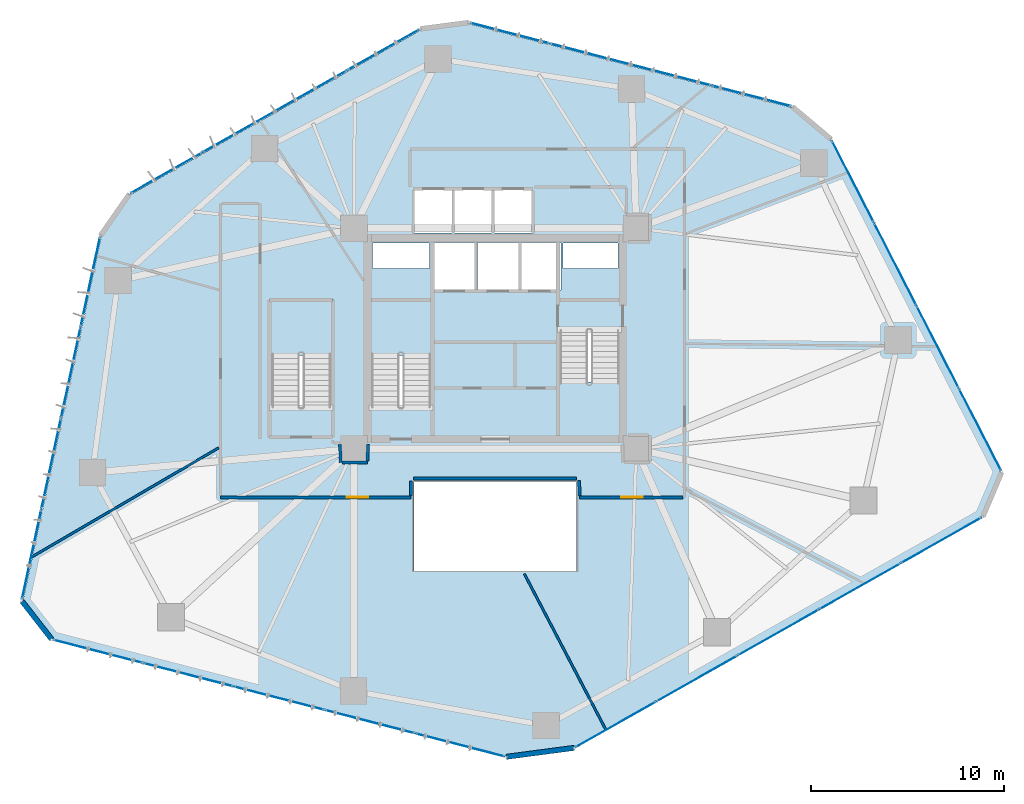
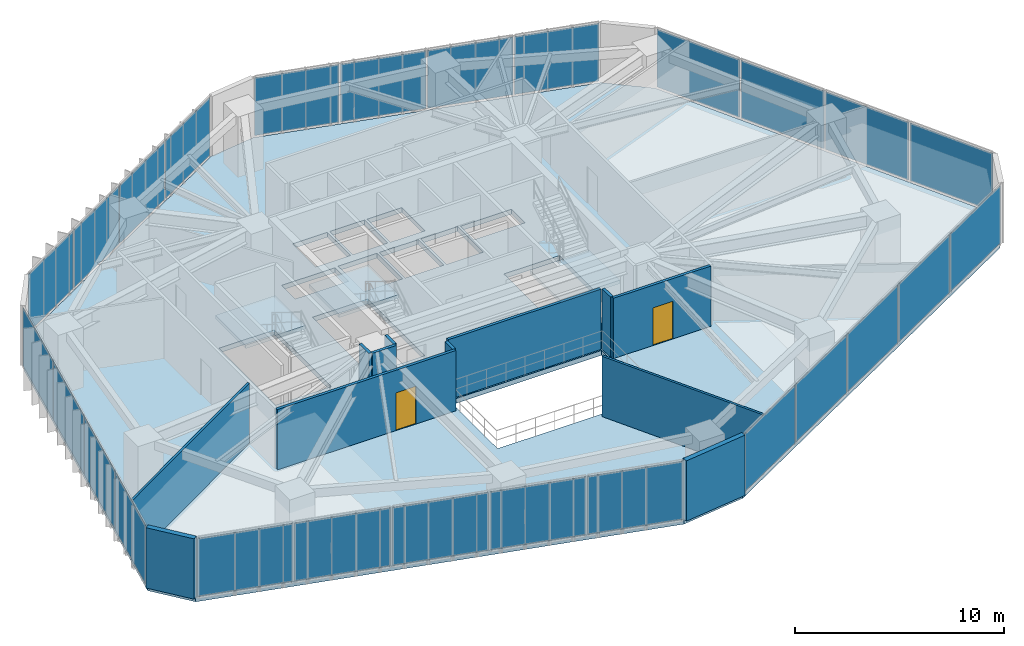
# One storey, part 17 of 23: 26 plates, 12 walls, 4 slabs, 2 doors, 2 openings, 9 elements without a shape of their own.
"""IFC4 building model written with IfcOpenShell, lengths in metres."""

import ifcopenshell
import ifcopenshell.guid

model = None  # the IFC model being written
_history = None  # IfcOwnerHistory: only IFC2X3 demands one
_inside = {}  # id of a spatial element -> (the spatial element, [elements in it])
_under = {}  # id of a project, library or spatial element -> (it, [spatial elements below it])
_declared = {}  # id of a project -> (the project, [libraries it declares])
_typed = {}  # id of a type object -> (the type object, [elements of that type])
_made_of = {}  # id of a material, layer set ... -> (it, [elements and type objects made of it])


def new_model(schema):
    """Start an empty IFC model of exactly this schema.

    Asked for "IFC4X3", IfcOpenShell would pick the latest addendum, in which some entities
    have other attributes; the version numbers below select the first issue.
    IFC2X3 requires an IfcOwnerHistory on every rooted entity: one is made here for all.
    """
    global model, _history
    if schema == "IFC4X3":
        model = ifcopenshell.file(schema_version=(4, 3, 0, 0))
    else:
        model = ifcopenshell.file(schema=schema)
    _inside.clear()
    _under.clear()
    _declared.clear()
    _typed.clear()
    _made_of.clear()
    _history = None
    if model.schema == "IFC2X3":
        org = make("IfcOrganization", Name="unknown")
        user = make(
            "IfcPersonAndOrganization",
            ThePerson=make("IfcPerson", FamilyName="unknown"),
            TheOrganization=org,
        )
        app = make(
            "IfcApplication",
            ApplicationDeveloper=org,
            Version="unknown",
            ApplicationFullName="unknown",
            ApplicationIdentifier="unknown",
        )
        _history = make(
            "IfcOwnerHistory",
            OwningUser=user,
            OwningApplication=app,
            ChangeAction="ADDED",
            CreationDate=0,
        )
    return model


def make(cls, **values):
    """One entity of the class cls with the attributes given. An attribute that is None is left unset."""
    return model.create_entity(
        cls, **{name: value for name, value in values.items() if value is not None}
    )


def rooted(cls, **values):
    """An entity with a GlobalId (a new one), such as an element, a storey or a relation."""
    return make(cls, GlobalId=ifcopenshell.guid.new(), OwnerHistory=_history, **values)


def si_unit(unit_type, name, prefix=None):
    """IfcSIUnit, for example si_unit("LENGTHUNIT", "METRE", prefix="MILLI")."""
    return make("IfcSIUnit", UnitType=unit_type, Prefix=prefix, Name=name)


def assignment(units):
    """IfcUnitAssignment: the units of a project."""
    return None if units is None else make("IfcUnitAssignment", Units=units)


def point(xyz):
    """IfcCartesianPoint."""
    return None if xyz is None else make("IfcCartesianPoint", Coordinates=xyz)


def direction(xyz):
    """IfcDirection."""
    return None if xyz is None else make("IfcDirection", DirectionRatios=xyz)


def frame(location, z_axis=None, x_axis=None):
    """IfcAxis2Placement3D, a coordinate frame: its origin and axes. An axis left out is left unset."""
    return make(
        "IfcAxis2Placement3D",
        Location=point(location),
        Axis=direction(z_axis),
        RefDirection=direction(x_axis),
    )


def frame_2d(location, x_axis=None):
    """IfcAxis2Placement2D, a coordinate frame in the plane: its origin and x axis."""
    return make(
        "IfcAxis2Placement2D", Location=point(location), RefDirection=direction(x_axis)
    )


def origin():
    """The frame at (0, 0, 0) with its axes left unset."""
    return frame((0.0, 0.0, 0.0))


def origin_2d():
    """The frame at (0, 0) in the plane with its x axis left unset."""
    return frame_2d((0.0, 0.0))


def place(relative_to, where):
    """IfcLocalPlacement: puts the frame where relative to a parent placement (None: the world)."""
    return make(
        "IfcLocalPlacement", PlacementRelTo=relative_to, RelativePlacement=where
    )


def context(
    kind, dimensions, precision=None, world=None, true_north=None, identifier=None
):
    """IfcGeometricRepresentationContext, for example the 3D "Model" context."""
    return make(
        "IfcGeometricRepresentationContext",
        ContextIdentifier=identifier,
        ContextType=kind,
        CoordinateSpaceDimension=dimensions,
        Precision=precision,
        WorldCoordinateSystem=world,
        TrueNorth=true_north,
    )


def subcontext(parent, identifier, kind, view, scale=None):
    """IfcGeometricRepresentationSubContext, for example "Body" below "Model"."""
    return make(
        "IfcGeometricRepresentationSubContext",
        ContextIdentifier=identifier,
        ContextType=kind,
        ParentContext=parent,
        TargetScale=scale,
        TargetView=view,
    )


def project(units=None, contexts=None):
    """IfcProject with its units and contexts."""
    return rooted(
        "IfcProject",
        Name="project",
        RepresentationContexts=contexts,
        UnitsInContext=assignment(units),
    )


def spatial(cls, under=None, at=None, **own):
    """A site, building, storey or space (cls), placed at a placement, below another one or the project."""
    s = rooted(cls, ObjectPlacement=at, **own)
    if under is not None:
        _under.setdefault(under.id(), (under, []))[1].append(s)
    return s


def polyline(points):
    """IfcPolyline through the points."""
    return make("IfcPolyline", Points=[point(p) for p in points])


def profile(cls, at=None, kind="AREA", **sizes):
    """A parametric profile (cls). Its sizes go by their IFC names, for example OverallWidth=200.0."""
    return make(cls, ProfileType=kind, Position=at, **sizes)


def rectangle(**sizes):
    """IfcRectangleProfileDef."""
    return profile("IfcRectangleProfileDef", **sizes)


def outline(outer, holes=None, kind="AREA"):
    """IfcArbitraryClosedProfileDef: a profile drawn as a closed curve; with holes, ...WithVoids."""
    if holes is None:
        return make("IfcArbitraryClosedProfileDef", ProfileType=kind, OuterCurve=outer)
    return make(
        "IfcArbitraryProfileDefWithVoids",
        ProfileType=kind,
        OuterCurve=outer,
        InnerCurves=holes,
    )


def extrude(swept, where, along, depth):
    """IfcExtrudedAreaSolid: the profile swept, set in the frame where, extruded along a direction by depth."""
    return make(
        "IfcExtrudedAreaSolid",
        SweptArea=swept,
        Position=where,
        ExtrudedDirection=direction(along),
        Depth=depth,
    )


def shape(context_of_items, identifier, shape_type, items):
    """IfcShapeRepresentation: the items that make up one representation, for example the "Body"."""
    return make(
        "IfcShapeRepresentation",
        ContextOfItems=context_of_items,
        RepresentationIdentifier=identifier,
        RepresentationType=shape_type,
        Items=items,
    )


def source(mapping_origin, context_of_items, identifier, shape_type, items):
    """IfcRepresentationMap: a shape defined once, which mapped items show again and again."""
    return make(
        "IfcRepresentationMap",
        MappingOrigin=mapping_origin,
        MappedRepresentation=shape(context_of_items, identifier, shape_type, items),
    )


def transform(
    local_origin,
    x_axis=None,
    y_axis=None,
    z_axis=None,
    scale=None,
    scale2=None,
    scale3=None,
    uniform=True,
):
    """IfcCartesianTransformationOperator3D, or its non-uniform kind. x_axis, y_axis, z_axis: its Axis1, 2, 3."""
    if uniform:
        return make(
            "IfcCartesianTransformationOperator3D",
            Axis1=direction(x_axis),
            Axis2=direction(y_axis),
            LocalOrigin=point(local_origin),
            Scale=scale,
            Axis3=direction(z_axis),
        )
    return make(
        "IfcCartesianTransformationOperator3DnonUniform",
        Axis1=direction(x_axis),
        Axis2=direction(y_axis),
        LocalOrigin=point(local_origin),
        Scale=scale,
        Axis3=direction(z_axis),
        Scale2=scale2,
        Scale3=scale3,
    )


def mapped(mapping_source, mapping_target):
    """IfcMappedItem: shows the shape of a source again, moved by a transform."""
    return make(
        "IfcMappedItem", MappingSource=mapping_source, MappingTarget=mapping_target
    )


def material(Name=None, Category=None):
    """IfcMaterial."""
    return make("IfcMaterial", Name=Name, Category=Category)


def layer(
    of_material, thickness, ventilated=None, Name=None, Category=None, Priority=None
):
    """IfcMaterialLayer: one layer of a wall or slab, of a material (None: an air gap)."""
    return make(
        "IfcMaterialLayer",
        Material=of_material,
        LayerThickness=thickness,
        IsVentilated=ventilated,
        Name=Name,
        Category=Category,
        Priority=Priority,
    )


def layer_set(layers, Name=None):
    """IfcMaterialLayerSet."""
    return make("IfcMaterialLayerSet", MaterialLayers=layers, LayerSetName=Name)


def made_of(thing, what):
    """Note that an element or type object is made of a material, layer set ...; save() writes the relation."""
    if what is not None:
        _made_of.setdefault(what.id(), (what, []))[1].append(thing)
    return thing


def type_object(cls, material=None, **own):
    """A type object (cls), such as IfcWallType, which elements share."""
    return made_of(rooted(cls, **own), material)


def type_shapes(of_type, sources):
    """Give a type object the sources (RepresentationMaps) that its elements show as mapped items."""
    of_type.RepresentationMaps = sources


def element(
    cls,
    number,
    at=None,
    inside=None,
    cuts=None,
    type_object=None,
    material=None,
    context=None,
    identifier="Body",
    shape_type=None,
    held_by="IfcProductDefinitionShape",
    body=None,
    shapes=None,
    **own,
):
    """One element of the class cls, such as IfcWall. Its Tag is "e" and its number.

    at: its placement. inside: the storey or other place that contains it. cuts: it is an
    opening in that element (IfcRelVoidsElement). A single representation is given by context,
    identifier, shape_type and body (its items); several are given by shapes. held_by: the class
    of the entity that holds the representations. save() writes the other relations.
    """
    e = rooted(cls, Tag="e%d" % number, ObjectPlacement=at, **own)
    if body is not None:
        shapes = [shape(context, identifier, shape_type, body)]
    if shapes is not None:
        e.Representation = make(held_by, Representations=shapes)
    if inside is not None:
        _inside.setdefault(inside.id(), (inside, []))[1].append(e)
    if cuts is not None:
        rooted(
            "IfcRelVoidsElement", RelatingBuildingElement=cuts, RelatedOpeningElement=e
        )
    if type_object is not None:
        _typed.setdefault(type_object.id(), (type_object, []))[1].append(e)
    return made_of(e, material)


def fill(opening, filler):
    """IfcRelFillsElement: the door or window that sits in an opening."""
    return rooted(
        "IfcRelFillsElement",
        RelatingOpeningElement=opening,
        RelatedBuildingElement=filler,
    )


def aggregate(whole, parts):
    """IfcRelAggregates: a whole, such as a stair, and the parts it consists of."""
    return rooted("IfcRelAggregates", RelatingObject=whole, RelatedObjects=parts)


def save(model, path):
    """Write the relations noted so far, then the file.

    IfcRelAggregates (storeys below a building ...), IfcRelContainedInSpatialStructure (elements
    in a storey), IfcRelDefinesByType, IfcRelAssociatesMaterial and IfcRelDeclares: one each for
    every whole, place, type object, material and project.
    """
    for whole, parts in _under.values():
        aggregate(whole, parts)
    for where, things in _inside.values():
        rooted(
            "IfcRelContainedInSpatialStructure",
            RelatedElements=things,
            RelatingStructure=where,
        )
    for kind, things in _typed.values():
        rooted("IfcRelDefinesByType", RelatedObjects=things, RelatingType=kind)
    for what, things in _made_of.values():
        rooted("IfcRelAssociatesMaterial", RelatedObjects=things, RelatingMaterial=what)
    for by, libraries in _declared.values():
        rooted("IfcRelDeclares", RelatingContext=by, RelatedDefinitions=libraries)
    model.write(path)


model = new_model("IFC4")

# Units and contexts
model_context = context("Model", 3, precision=1e-05, world=origin(), true_north=direction((0.0, 1.0)))
body_context = subcontext(model_context, "Body", "Model", "MODEL_VIEW")
ifc_project = project(units=[si_unit("LENGTHUNIT", "METRE"), si_unit("AREAUNIT", "SQUARE_METRE"), si_unit("VOLUMEUNIT", "CUBIC_METRE"), si_unit("PLANEANGLEUNIT", "RADIAN"), si_unit("MASSUNIT", "GRAM", prefix="KILO")], contexts=[model_context])

# Site, building, storey
site_placement = place(None, origin())
site = spatial("IfcSite", under=ifc_project, at=site_placement, CompositionType="ELEMENT")
building_placement = place(site_placement, origin())
building = spatial("IfcBuilding", under=site, at=building_placement, Name="Talar Marvaseh", CompositionType="ELEMENT")
storey_placement = place(building_placement, frame((0.0, 0.0, 46.800048828125)))
storey = spatial("IfcBuildingStorey", under=building, at=storey_placement, Name="L11", CompositionType="ELEMENT", Elevation=46.800048828125)

# Stair, slab
ifc_material_1 = material(Name="Concrete C40/50", Category="concrete")
stair_type = type_object("IfcStairType", Name="Reinforced Concrete Half-Turn Exit Stair Type B", PredefinedType="HALF_TURN_STAIR", material=ifc_material_1)
stair_1_placement = place(storey_placement, origin())
stair_1 = element("IfcStair", 1, at=stair_1_placement, inside=storey, type_object=stair_type, Name="L11 Tower West Core Exit Stair", PredefinedType="HALF_TURN_STAIR")
ifc_layer_1 = layer(ifc_material_1, 0.199951171875)
ifc_layer_set_1 = layer_set([ifc_layer_1], Name="Concrete C40/50")
slab_type_1 = type_object("IfcSlabType", Name="Reinforced Concrete Stair Half-Landing Slab 200", PredefinedType="LANDING", material=ifc_layer_set_1)
slab_1_placement = place(storey_placement, frame((0.0, 0.0, 1.699951171875)))
slab_1 = element("IfcSlab", 2, at=slab_1_placement, type_object=slab_type_1, Name="ST-1 landing 1", PredefinedType="LANDING", context=body_context, shape_type="SweptSolid", body=[
    extrude(outline(polyline([(22.780029296875, 30.330078125), (22.780029296875, 33.219970703125), (19.47998046875, 33.219970703125), (19.47998046875, 30.330078125), (22.780029296875, 30.330078125)])), origin(), (0.0, 0.0, 1.0), 0.199951171875),
])
aggregate(stair_1, [slab_1])

stair_2_placement = place(storey_placement, origin())
stair_2 = element("IfcStair", 3, at=stair_2_placement, inside=storey, type_object=stair_type, Name="L11 Tower East Core Exit Stair", PredefinedType="HALF_TURN_STAIR")
slab_2_placement = place(storey_placement, frame((0.0, 0.0, 1.699951171875)))
slab_2 = element("IfcSlab", 4, at=slab_2_placement, type_object=slab_type_1, Name="ST-2 landing 1", PredefinedType="LANDING", context=body_context, shape_type="SweptSolid", body=[
    extrude(outline(polyline([(29.219970703125, 28.969970703125), (29.219970703125, 26.080078125), (32.52001953125, 26.080078125), (32.52001953125, 28.969970703125), (29.219970703125, 28.969970703125)])), origin(), (0.0, 0.0, 1.0), 0.199951171875),
])
aggregate(stair_2, [slab_2])

stair_3_placement = place(storey_placement, origin())
stair_3 = element("IfcStair", 5, at=stair_3_placement, inside=storey, type_object=stair_type, Name="L11 Museum & Podium Auxiliary Exit Stair", PredefinedType="HALF_TURN_STAIR")
slab_3_placement = place(storey_placement, frame((0.0, 0.0, 1.699951171875)))
slab_3 = element("IfcSlab", 6, at=slab_3_placement, type_object=slab_type_1, Name="ST-3 landing 1", PredefinedType="LANDING", context=body_context, shape_type="SweptSolid", body=[
    extrude(outline(polyline([(17.6201171875, 30.330078125), (17.6201171875, 33.219970703125), (14.320068359375, 33.219970703125), (14.320068359375, 30.330078125), (17.6201171875, 30.330078125)])), origin(), (0.0, 0.0, 1.0), 0.199951171875),
])
aggregate(stair_3, [slab_3])

# Slab
ifc_layer_2 = layer(ifc_material_1, 0.280029296875)
ifc_layer_set_2 = layer_set([ifc_layer_2], Name="Concrete C40/50")
slab_type_2 = type_object("IfcSlabType", Name="Structural Suspended Floor Slab 280", PredefinedType="FLOOR", material=ifc_layer_set_2)
slab_4_placement = place(storey_placement, frame((0.0, 0.0, -0.280029296875)))
element("IfcSlab", 7, at=slab_4_placement, inside=storey, type_object=slab_type_2, Name="L11 Tower Floor Slab", PredefinedType="FLOOR", context=body_context, shape_type="SweptSolid", body=[
    extrude(outline(polyline([(3.11279296875, 15.697509765625), (1.5859375, 17.656982421875), (5.64208984375, 36.49169921875), (7.14208984375, 38.643798828125), (22.1435546875, 47.15478515625), (24.637939453125, 47.483154296875), (41.3310546875, 43.14501953125), (43.3369140625, 41.454345703125), (52.129638671875, 24.311279296875), (51.162109375, 22.0234375), (30.074462890625, 10.096923828125), (26.568603515625, 9.635498046875), (3.11279296875, 15.697509765625)]), holes=[polyline([(22.659912109375, 27.64990234375), (22.659912109375, 33.10009765625), (19.60009765625, 33.10009765625), (19.60009765625, 27.64990234375), (22.659912109375, 27.64990234375)]), polyline([(29.340087890625, 31.64990234375), (29.340087890625, 26.199951171875), (32.39990234375, 26.199951171875), (32.39990234375, 31.64990234375), (29.340087890625, 31.64990234375)]), polyline([(17.5, 27.64990234375), (17.5, 33.10009765625), (14.43994140625, 33.10009765625), (14.43994140625, 27.64990234375), (17.5, 27.64990234375)]), polyline([(22.800048828125, 33.719970703125), (24.93994140625, 33.719970703125), (24.93994140625, 36.179931640625), (22.800048828125, 36.179931640625), (22.800048828125, 33.719970703125)]), polyline([(25.080078125, 33.719970703125), (27.219970703125, 33.719970703125), (27.219970703125, 36.179931640625), (25.080078125, 36.179931640625), (25.080078125, 33.719970703125)]), polyline([(27.360107421875, 33.719970703125), (29.39990234375, 33.719970703125), (29.39990234375, 36.179931640625), (27.360107421875, 36.179931640625), (27.360107421875, 33.719970703125)]), polyline([(21.840087890625, 36.659912109375), (23.760009765625, 36.659912109375), (23.760009765625, 38.8798828125), (21.840087890625, 38.8798828125), (21.840087890625, 36.659912109375)]), polyline([(23.89990234375, 36.659912109375), (25.820068359375, 36.659912109375), (25.820068359375, 38.8798828125), (23.89990234375, 38.8798828125), (23.89990234375, 36.659912109375)]), polyline([(25.9599609375, 36.659912109375), (27.8798828125, 36.659912109375), (27.8798828125, 38.8798828125), (25.9599609375, 38.8798828125), (25.9599609375, 36.659912109375)]), polyline([(19.659912109375, 34.840087890625), (22.60009765625, 34.840087890625), (22.60009765625, 36.139892578125), (19.659912109375, 36.139892578125), (19.659912109375, 34.840087890625)]), polyline([(29.52001953125, 34.840087890625), (32.340087890625, 34.840087890625), (32.340087890625, 36.139892578125), (29.52001953125, 36.139892578125), (29.52001953125, 34.840087890625)]), polyline([(21.800048828125, 19.199951171875), (30.199951171875, 19.199951171875), (30.199951171875, 23.800048828125), (21.800048828125, 23.800048828125), (21.800048828125, 19.199951171875)])]), origin(), (0.0, 0.0, 1.0), 0.280029296875),
])

# Curtain wall, plates
ifc_material_2 = material(Name="Architectural Aluminium", Category="aluminium")
ifc_layer_3 = layer(ifc_material_2, 0.219970703125)
ifc_layer_set_3 = layer_set([ifc_layer_3], Name="Architectural Aluminium")
curtain_wall_type = type_object("IfcCurtainWallType", Name="Unitised Low-E Museum Curtain Wall Z1", PredefinedType="NOTDEFINED", material=ifc_layer_set_3)
curtain_wall_1_placement = place(storey_placement, origin())
curtain_wall_1 = element("IfcCurtainWall", 8, at=curtain_wall_1_placement, inside=storey, type_object=curtain_wall_type, Name="L11 Unitised Low-E Museum Curtain Wall Z1", PredefinedType="NOTDEFINED")
ifc_material_3 = material(Name="Laminated Low-E Solar Glass", Category="glass")
ifc_layer_4 = layer(ifc_material_3, 0.028076171875)
ifc_layer_set_4 = layer_set([ifc_layer_4], Name="Laminated Low-E Solar Glass")
plate_type = type_object("IfcPlateType", Name="Double-Glazed Low-E Vision Curtain Panel 28", PredefinedType="CURTAIN_PANEL", material=ifc_layer_set_4)
shared_shape_1 = source(origin(), body_context, "Body", "SweptSolid", [
    extrude(rectangle(XDim=4.696533203125, YDim=0.028076171875, at=origin_2d()), origin(), (0.0, 0.0, 1.0), 3.3701171875),
])
plate_1_placement = place(storey_placement, frame((2.038330078125, 20.04345703125, 0.074951171875), z_axis=(0.0, 0.0, 1.0), x_axis=(0.210537074287, 0.977585873645, 0.0)))
plate_1 = element("IfcPlate", 9, at=plate_1_placement, type_object=plate_type, Name="CW-Z1 panel 1.1", PredefinedType="CURTAIN_PANEL", context=body_context, shape_type="MappedRepresentation", body=[
    mapped(shared_shape_1, transform((0.0, 0.0, 0.0), x_axis=(1.0, 0.0, 0.0), y_axis=(0.0, 1.0, 0.0), z_axis=(0.0, 0.0, 1.0), scale=1.0)),
])
plate_2_placement = place(storey_placement, frame((5.072265625, 34.13037109375, 0.074951171875), z_axis=(0.0, 0.0, 1.0), x_axis=(0.210537074287, 0.977585873645, 0.0)))
plate_2 = element("IfcPlate", 10, at=plate_2_placement, type_object=plate_type, Name="CW-Z1 panel 4.1", PredefinedType="CURTAIN_PANEL", context=body_context, shape_type="MappedRepresentation", body=[
    mapped(shared_shape_1, transform((0.0, 0.0, 0.0), x_axis=(1.0, 0.0, 0.0), y_axis=(0.0, 1.0, 0.0), z_axis=(0.0, 0.0, 1.0), scale=1.0)),
])

curtain_wall_2_placement = place(storey_placement, origin())
curtain_wall_2 = element("IfcCurtainWall", 11, at=curtain_wall_2_placement, inside=storey, type_object=curtain_wall_type, Name="L11 Unitised Low-E Museum Curtain Wall Z1", PredefinedType="NOTDEFINED")
plate_3_placement = place(storey_placement, frame((44.49853515625, 39.321044921875, 0.074951171875), z_axis=(0.0, 0.0, 1.0), x_axis=(0.456379028209, -0.889785469993, 0.0)))
plate_3 = element("IfcPlate", 12, at=plate_3_placement, type_object=plate_type, Name="CW-Z1 panel 1.1", PredefinedType="CURTAIN_PANEL", context=body_context, shape_type="MappedRepresentation", body=[
    mapped(shared_shape_1, transform((0.0, 0.0, 0.0), x_axis=(1.0, 0.0, 0.0), y_axis=(0.0, 1.0, 0.0), z_axis=(0.0, 0.0, 1.0), scale=1.0)),
])
plate_4_placement = place(storey_placement, frame((51.074951171875, 26.499267578125, 0.074951171875), z_axis=(0.0, 0.0, 1.0), x_axis=(0.456379028209, -0.889785469993, 0.0)))
plate_4 = element("IfcPlate", 13, at=plate_4_placement, type_object=plate_type, Name="CW-Z1 panel 4.1", PredefinedType="CURTAIN_PANEL", context=body_context, shape_type="MappedRepresentation", body=[
    mapped(shared_shape_1, transform((0.0, 0.0, 0.0), x_axis=(1.0, 0.0, 0.0), y_axis=(0.0, 1.0, 0.0), z_axis=(0.0, 0.0, 1.0), scale=1.0)),
])

# Plate
shared_shape_2 = source(origin(), body_context, "Body", "SweptSolid", [
    extrude(rectangle(XDim=4.736572265625, YDim=0.028076171875, at=origin_2d()), origin(), (0.0, 0.0, 1.0), 3.3701171875),
])
plate_5_placement = place(storey_placement, frame((3.04833984375, 24.732666015625, 0.074951171875), z_axis=(0.0, 0.0, 1.0), x_axis=(0.210537074287, 0.977585873645, 0.0)))
plate_5 = element("IfcPlate", 14, at=plate_5_placement, type_object=plate_type, Name="CW-Z1 panel 2.1", PredefinedType="CURTAIN_PANEL", context=body_context, shape_type="MappedRepresentation", body=[
    mapped(shared_shape_2, transform((0.0, 0.0, 0.0), x_axis=(1.0, 0.0, 0.0), y_axis=(0.0, 1.0, 0.0), z_axis=(0.0, 0.0, 1.0), scale=1.0)),
])

plate_6_placement = place(storey_placement, frame((4.0625, 29.44140625, 0.074951171875), z_axis=(0.0, 0.0, 1.0), x_axis=(0.210537074287, 0.977585873645, 0.0)))
plate_6 = element("IfcPlate", 15, at=plate_6_placement, type_object=plate_type, Name="CW-Z1 panel 3.1", PredefinedType="CURTAIN_PANEL", context=body_context, shape_type="MappedRepresentation", body=[
    mapped(shared_shape_2, transform((0.0, 0.0, 0.0), x_axis=(1.0, 0.0, 0.0), y_axis=(0.0, 1.0, 0.0), z_axis=(0.0, 0.0, 1.0), scale=1.0)),
])

aggregate(curtain_wall_1, [plate_1, plate_5, plate_6, plate_2])

plate_7_placement = place(storey_placement, frame((46.6875, 35.052978515625, 0.074951171875), z_axis=(0.0, 0.0, 1.0), x_axis=(0.456379028209, -0.889785469993, 0.0)))
plate_7 = element("IfcPlate", 16, at=plate_7_placement, type_object=plate_type, Name="CW-Z1 panel 2.1", PredefinedType="CURTAIN_PANEL", context=body_context, shape_type="MappedRepresentation", body=[
    mapped(shared_shape_2, transform((0.0, 0.0, 0.0), x_axis=(1.0, 0.0, 0.0), y_axis=(0.0, 1.0, 0.0), z_axis=(0.0, 0.0, 1.0), scale=1.0)),
])

plate_8_placement = place(storey_placement, frame((48.8857421875, 30.767333984375, 0.074951171875), z_axis=(0.0, 0.0, 1.0), x_axis=(0.456379028209, -0.889785469993, 0.0)))
plate_8 = element("IfcPlate", 17, at=plate_8_placement, type_object=plate_type, Name="CW-Z1 panel 3.1", PredefinedType="CURTAIN_PANEL", context=body_context, shape_type="MappedRepresentation", body=[
    mapped(shared_shape_2, transform((0.0, 0.0, 0.0), x_axis=(1.0, 0.0, 0.0), y_axis=(0.0, 1.0, 0.0), z_axis=(0.0, 0.0, 1.0), scale=1.0)),
])

aggregate(curtain_wall_2, [plate_3, plate_7, plate_8, plate_4])

# Curtain wall, plates
curtain_wall_3_placement = place(storey_placement, origin())
curtain_wall_3 = element("IfcCurtainWall", 18, at=curtain_wall_3_placement, inside=storey, type_object=curtain_wall_type, Name="L11 Unitised Low-E Museum Curtain Wall Z1", PredefinedType="NOTDEFINED")
shared_shape_3 = source(origin(), body_context, "Body", "SweptSolid", [
    extrude(rectangle(XDim=4.19189453125, YDim=0.028076171875, at=origin_2d()), origin(), (0.0, 0.0, 1.0), 3.3701171875),
])
plate_9_placement = place(storey_placement, frame((9.005126953125, 39.769775390625, 0.074951171875), z_axis=(0.0, 0.0, 1.0), x_axis=(0.869770728361, 0.493456056896, 0.0)))
plate_9 = element("IfcPlate", 19, at=plate_9_placement, type_object=plate_type, Name="CW-Z1 panel 1.1", PredefinedType="CURTAIN_PANEL", context=body_context, shape_type="MappedRepresentation", body=[
    mapped(shared_shape_3, transform((0.0, 0.0, 0.0), x_axis=(1.0, 0.0, 0.0), y_axis=(0.0, 1.0, 0.0), z_axis=(0.0, 0.0, 1.0), scale=1.0)),
])
plate_10_placement = place(storey_placement, frame((20.221435546875, 46.13330078125, 0.074951171875), z_axis=(0.0, 0.0, 1.0), x_axis=(0.869770728361, 0.493456056896, 0.0)))
plate_10 = element("IfcPlate", 20, at=plate_10_placement, type_object=plate_type, Name="CW-Z1 panel 4.1", PredefinedType="CURTAIN_PANEL", context=body_context, shape_type="MappedRepresentation", body=[
    mapped(shared_shape_3, transform((0.0, 0.0, 0.0), x_axis=(1.0, 0.0, 0.0), y_axis=(0.0, 1.0, 0.0), z_axis=(0.0, 0.0, 1.0), scale=1.0)),
])

curtain_wall_4_placement = place(storey_placement, origin())
curtain_wall_4 = element("IfcCurtainWall", 21, at=curtain_wall_4_placement, inside=storey, type_object=curtain_wall_type, Name="L11 Unitised Low-E Museum Curtain Wall Z1", PredefinedType="NOTDEFINED")
plate_11_placement = place(storey_placement, frame((26.759033203125, 46.993896484375, 0.074951171875), z_axis=(0.0, 0.0, 1.0), x_axis=(0.967850825477, -0.251524908555, 0.0)))
plate_11 = element("IfcPlate", 22, at=plate_11_placement, type_object=plate_type, Name="CW-Z1 panel 1.1", PredefinedType="CURTAIN_PANEL", context=body_context, shape_type="MappedRepresentation", body=[
    mapped(shared_shape_3, transform((0.0, 0.0, 0.0), x_axis=(1.0, 0.0, 0.0), y_axis=(0.0, 1.0, 0.0), z_axis=(0.0, 0.0, 1.0), scale=1.0)),
])
plate_12_placement = place(storey_placement, frame((39.240234375, 43.75048828125, 0.074951171875), z_axis=(0.0, 0.0, 1.0), x_axis=(0.967850825477, -0.251524908555, 0.0)))
plate_12 = element("IfcPlate", 23, at=plate_12_placement, type_object=plate_type, Name="CW-Z1 panel 4.1", PredefinedType="CURTAIN_PANEL", context=body_context, shape_type="MappedRepresentation", body=[
    mapped(shared_shape_3, transform((0.0, 0.0, 0.0), x_axis=(1.0, 0.0, 0.0), y_axis=(0.0, 1.0, 0.0), z_axis=(0.0, 0.0, 1.0), scale=1.0)),
])

# Plate
shared_shape_4 = source(origin(), body_context, "Body", "SweptSolid", [
    extrude(rectangle(XDim=4.23193359375, YDim=0.028076171875, at=origin_2d()), origin(), (0.0, 0.0, 1.0), 3.3701171875),
])
plate_13_placement = place(storey_placement, frame((12.738037109375, 41.8876953125, 0.074951171875), z_axis=(0.0, 0.0, 1.0), x_axis=(0.869770728361, 0.493456056896, 0.0)))
plate_13 = element("IfcPlate", 24, at=plate_13_placement, type_object=plate_type, Name="CW-Z1 panel 2.1", PredefinedType="CURTAIN_PANEL", context=body_context, shape_type="MappedRepresentation", body=[
    mapped(shared_shape_4, transform((0.0, 0.0, 0.0), x_axis=(1.0, 0.0, 0.0), y_axis=(0.0, 1.0, 0.0), z_axis=(0.0, 0.0, 1.0), scale=1.0)),
])

plate_14_placement = place(storey_placement, frame((16.48828125, 44.015380859375, 0.074951171875), z_axis=(0.0, 0.0, 1.0), x_axis=(0.869770728361, 0.493456056896, 0.0)))
plate_14 = element("IfcPlate", 25, at=plate_14_placement, type_object=plate_type, Name="CW-Z1 panel 3.1", PredefinedType="CURTAIN_PANEL", context=body_context, shape_type="MappedRepresentation", body=[
    mapped(shared_shape_4, transform((0.0, 0.0, 0.0), x_axis=(1.0, 0.0, 0.0), y_axis=(0.0, 1.0, 0.0), z_axis=(0.0, 0.0, 1.0), scale=1.0)),
])

aggregate(curtain_wall_3, [plate_9, plate_13, plate_14, plate_10])

plate_15_placement = place(storey_placement, frame((30.9130859375, 45.91455078125, 0.074951171875), z_axis=(0.0, 0.0, 1.0), x_axis=(0.967850825477, -0.251524908555, 0.0)))
plate_15 = element("IfcPlate", 26, at=plate_15_placement, type_object=plate_type, Name="CW-Z1 panel 2.1", PredefinedType="CURTAIN_PANEL", context=body_context, shape_type="MappedRepresentation", body=[
    mapped(shared_shape_4, transform((0.0, 0.0, 0.0), x_axis=(1.0, 0.0, 0.0), y_axis=(0.0, 1.0, 0.0), z_axis=(0.0, 0.0, 1.0), scale=1.0)),
])

plate_16_placement = place(storey_placement, frame((35.086181640625, 44.829833984375, 0.074951171875), z_axis=(0.0, 0.0, 1.0), x_axis=(0.967850825477, -0.251524908555, 0.0)))
plate_16 = element("IfcPlate", 27, at=plate_16_placement, type_object=plate_type, Name="CW-Z1 panel 3.1", PredefinedType="CURTAIN_PANEL", context=body_context, shape_type="MappedRepresentation", body=[
    mapped(shared_shape_4, transform((0.0, 0.0, 0.0), x_axis=(1.0, 0.0, 0.0), y_axis=(0.0, 1.0, 0.0), z_axis=(0.0, 0.0, 1.0), scale=1.0)),
])

aggregate(curtain_wall_4, [plate_11, plate_15, plate_16, plate_12])

# Curtain wall, plates
curtain_wall_5_placement = place(storey_placement, origin())
curtain_wall_5 = element("IfcCurtainWall", 28, at=curtain_wall_5_placement, inside=storey, type_object=curtain_wall_type, Name="L11 Unitised Low-E Museum Curtain Wall Z1", PredefinedType="NOTDEFINED")
shared_shape_5 = source(origin(), body_context, "Body", "SweptSolid", [
    extrude(rectangle(XDim=4.725341796875, YDim=0.028076171875, at=origin_2d()), origin(), (0.0, 0.0, 1.0), 3.3701171875),
])
plate_17_placement = place(storey_placement, frame((49.0654296875, 20.768798828125, 0.074951171875), z_axis=(0.0, 0.0, 1.0), x_axis=(-0.870430810636, -0.492290771695, 0.0)))
plate_17 = element("IfcPlate", 29, at=plate_17_placement, type_object=plate_type, Name="CW-Z1 panel 1.1", PredefinedType="CURTAIN_PANEL", context=body_context, shape_type="MappedRepresentation", body=[
    mapped(shared_shape_5, transform((0.0, 0.0, 0.0), x_axis=(1.0, 0.0, 0.0), y_axis=(0.0, 1.0, 0.0), z_axis=(0.0, 0.0, 1.0), scale=1.0)),
])
plate_18_placement = place(storey_placement, frame((32.22998046875, 11.247314453125, 0.074951171875), z_axis=(0.0, 0.0, 1.0), x_axis=(-0.870430810636, -0.492290771695, 0.0)))
plate_18 = element("IfcPlate", 30, at=plate_18_placement, type_object=plate_type, Name="CW-Z1 panel 5.1", PredefinedType="CURTAIN_PANEL", context=body_context, shape_type="MappedRepresentation", body=[
    mapped(shared_shape_5, transform((0.0, 0.0, 0.0), x_axis=(1.0, 0.0, 0.0), y_axis=(0.0, 1.0, 0.0), z_axis=(0.0, 0.0, 1.0), scale=1.0)),
])

curtain_wall_6_placement = place(storey_placement, origin())
curtain_wall_6 = element("IfcCurtainWall", 31, at=curtain_wall_6_placement, inside=storey, type_object=curtain_wall_type, Name="L11 Unitised Low-E Museum Curtain Wall Z1", PredefinedType="NOTDEFINED")
plate_19_placement = place(storey_placement, frame((24.188720703125, 10.1884765625, 0.074951171875), z_axis=(0.0, 0.0, 1.0), x_axis=(-0.968186991338, 0.250227795826, 0.0)))
plate_19 = element("IfcPlate", 32, at=plate_19_placement, type_object=plate_type, Name="CW-Z1 panel 1.1", PredefinedType="CURTAIN_PANEL", context=body_context, shape_type="MappedRepresentation", body=[
    mapped(shared_shape_5, transform((0.0, 0.0, 0.0), x_axis=(1.0, 0.0, 0.0), y_axis=(0.0, 1.0, 0.0), z_axis=(0.0, 0.0, 1.0), scale=1.0)),
])
plate_20_placement = place(storey_placement, frame((5.462646484375, 15.0283203125, 0.074951171875), z_axis=(0.0, 0.0, 1.0), x_axis=(-0.968186991338, 0.250227795826, 0.0)))
plate_20 = element("IfcPlate", 33, at=plate_20_placement, type_object=plate_type, Name="CW-Z1 panel 5.1", PredefinedType="CURTAIN_PANEL", context=body_context, shape_type="MappedRepresentation", body=[
    mapped(shared_shape_5, transform((0.0, 0.0, 0.0), x_axis=(1.0, 0.0, 0.0), y_axis=(0.0, 1.0, 0.0), z_axis=(0.0, 0.0, 1.0), scale=1.0)),
])

# Plate
shared_shape_6 = source(origin(), body_context, "Body", "SweptSolid", [
    extrude(rectangle(XDim=4.765380859375, YDim=0.028076171875, at=origin_2d()), origin(), (0.0, 0.0, 1.0), 3.3701171875),
])
type_shapes(plate_type, [shared_shape_1, shared_shape_2, shared_shape_3, shared_shape_4, shared_shape_5, shared_shape_6])
plate_21_placement = place(storey_placement, frame((44.865234375, 18.393310546875, 0.074951171875), z_axis=(0.0, 0.0, 1.0), x_axis=(-0.870430810636, -0.492290771695, 0.0)))
plate_21 = element("IfcPlate", 34, at=plate_21_placement, type_object=plate_type, Name="CW-Z1 panel 2.1", PredefinedType="CURTAIN_PANEL", context=body_context, shape_type="MappedRepresentation", body=[
    mapped(shared_shape_6, transform((0.0, 0.0, 0.0), x_axis=(1.0, 0.0, 0.0), y_axis=(0.0, 1.0, 0.0), z_axis=(0.0, 0.0, 1.0), scale=1.0)),
])

plate_22_placement = place(storey_placement, frame((40.647705078125, 16.008056640625, 0.074951171875), z_axis=(0.0, 0.0, 1.0), x_axis=(-0.870430810636, -0.492290771695, 0.0)))
plate_22 = element("IfcPlate", 35, at=plate_22_placement, type_object=plate_type, Name="CW-Z1 panel 3.1", PredefinedType="CURTAIN_PANEL", context=body_context, shape_type="MappedRepresentation", body=[
    mapped(shared_shape_6, transform((0.0, 0.0, 0.0), x_axis=(1.0, 0.0, 0.0), y_axis=(0.0, 1.0, 0.0), z_axis=(0.0, 0.0, 1.0), scale=1.0)),
])

plate_23_placement = place(storey_placement, frame((36.43017578125, 13.62255859375, 0.074951171875), z_axis=(0.0, 0.0, 1.0), x_axis=(-0.870430810636, -0.492290771695, 0.0)))
plate_23 = element("IfcPlate", 36, at=plate_23_placement, type_object=plate_type, Name="CW-Z1 panel 4.1", PredefinedType="CURTAIN_PANEL", context=body_context, shape_type="MappedRepresentation", body=[
    mapped(shared_shape_6, transform((0.0, 0.0, 0.0), x_axis=(1.0, 0.0, 0.0), y_axis=(0.0, 1.0, 0.0), z_axis=(0.0, 0.0, 1.0), scale=1.0)),
])

aggregate(curtain_wall_5, [plate_17, plate_21, plate_22, plate_23, plate_18])

plate_24_placement = place(storey_placement, frame((19.516845703125, 11.39599609375, 0.074951171875), z_axis=(0.0, 0.0, 1.0), x_axis=(-0.968186991338, 0.250227795826, 0.0)))
plate_24 = element("IfcPlate", 37, at=plate_24_placement, type_object=plate_type, Name="CW-Z1 panel 2.1", PredefinedType="CURTAIN_PANEL", context=body_context, shape_type="MappedRepresentation", body=[
    mapped(shared_shape_6, transform((0.0, 0.0, 0.0), x_axis=(1.0, 0.0, 0.0), y_axis=(0.0, 1.0, 0.0), z_axis=(0.0, 0.0, 1.0), scale=1.0)),
])

plate_25_placement = place(storey_placement, frame((14.82568359375, 12.6083984375, 0.074951171875), z_axis=(0.0, 0.0, 1.0), x_axis=(-0.968186991338, 0.250227795826, 0.0)))
plate_25 = element("IfcPlate", 38, at=plate_25_placement, type_object=plate_type, Name="CW-Z1 panel 3.1", PredefinedType="CURTAIN_PANEL", context=body_context, shape_type="MappedRepresentation", body=[
    mapped(shared_shape_6, transform((0.0, 0.0, 0.0), x_axis=(1.0, 0.0, 0.0), y_axis=(0.0, 1.0, 0.0), z_axis=(0.0, 0.0, 1.0), scale=1.0)),
])

plate_26_placement = place(storey_placement, frame((10.134521484375, 13.82080078125, 0.074951171875), z_axis=(0.0, 0.0, 1.0), x_axis=(-0.968186991338, 0.250227795826, 0.0)))
plate_26 = element("IfcPlate", 39, at=plate_26_placement, type_object=plate_type, Name="CW-Z1 panel 4.1", PredefinedType="CURTAIN_PANEL", context=body_context, shape_type="MappedRepresentation", body=[
    mapped(shared_shape_6, transform((0.0, 0.0, 0.0), x_axis=(1.0, 0.0, 0.0), y_axis=(0.0, 1.0, 0.0), z_axis=(0.0, 0.0, 1.0), scale=1.0)),
])

aggregate(curtain_wall_6, [plate_19, plate_24, plate_25, plate_26, plate_20])

# Walls
ifc_material_4 = material(Name="Precast concrete C45/55", Category="concrete")
ifc_layer_5 = layer(ifc_material_4, 0.27001953125)
ifc_layer_set_5 = layer_set([ifc_layer_5], Name="Precast concrete C45/55")
wall_type_1 = type_object("IfcWallType", Name="Chamfered Hexagonal Corner Pier Wall Z1 270", PredefinedType="SOLIDWALL", material=ifc_layer_set_5)
wall_1_placement = place(storey_placement, frame((3.0654296875, 15.66064453125, 0.0), z_axis=(0.0, 0.0, 1.0), x_axis=(-0.614647988427, 0.78880152784, 0.0)))
element("IfcWall", 40, at=wall_1_placement, inside=storey, type_object=wall_type_1, Name="L11 Chamfered Corner Limestone Pier 1", PredefinedType="SOLIDWALL", context=body_context, shape_type="SweptSolid", body=[
    extrude(rectangle(XDim=2.484130859375, YDim=0.27001953125, at=frame_2d((1.2421875, 0.0))), origin(), (0.0, 0.0, 1.0), 3.52001953125),
])
wall_2_placement = place(storey_placement, frame((30.082275390625, 10.037353515625, 0.0), z_axis=(0.0, 0.0, 1.0), x_axis=(-0.991449594936, -0.130490232203, 0.0)))
element("IfcWall", 41, at=wall_2_placement, inside=storey, type_object=wall_type_1, Name="L11 Chamfered Corner Limestone Pier 6", PredefinedType="SOLIDWALL", context=body_context, shape_type="SweptSolid", body=[
    extrude(rectangle(XDim=3.5361328125, YDim=0.27001953125, at=frame_2d((1.76806640625, 0.0))), origin(), (0.0, 0.0, 1.0), 3.52001953125),
])

# Wall, opening, door
ifc_material_5 = material(Name="Gypsum Board Partition Assembly")
ifc_layer_6 = layer(ifc_material_5, 0.155029296875)
ifc_layer_set_6 = layer_set([ifc_layer_6], Name="Gypsum Board Partition Assembly")
wall_type_2 = type_object("IfcWallType", Name="Corridor Fire-Rated Acoustic Partition 155", PredefinedType="PARTITIONING", material=ifc_layer_set_6)
wall_3_placement = place(storey_placement, frame((21.639892578125, 23.0, 0.0), z_axis=(0.0, 0.0, 1.0), x_axis=(-1.0, 0.0, 0.0)))
wall_3 = element("IfcWall", 42, at=wall_3_placement, inside=storey, type_object=wall_type_2, Name="L11 Interior Partition Wall", PredefinedType="PARTITIONING", context=body_context, shape_type="SweptSolid", body=[
    extrude(rectangle(XDim=9.83984375, YDim=0.155029296875, at=frame_2d((4.919921875, 0.0))), origin(), (0.0, 0.0, 1.0), 3.52001953125),
])
opening_1_placement = place(wall_3_placement, frame((2.205078125, 0.0, 0.0)))
opening_1 = element("IfcOpeningElement", 43, at=opening_1_placement, cuts=wall_3, Name="Opening DR-RM110", PredefinedType="OPENING", context=body_context, shape_type="SweptSolid", body=[
    extrude(rectangle(XDim=1.10009765625, YDim=2.199951171875, at=frame_2d((0.550048828125, 1.10009765625))), frame((0.0, 0.08740234375, 0.0), z_axis=(0.0, -1.0, 0.0), x_axis=(1.0, 0.0, 0.0)), (0.0, 0.0, 1.0), 0.175048828125),
])
ifc_material_6 = material(Name="Acoustic Engineered Oak Timber", Category="wood")
door_type = type_object("IfcDoorType", Name="Assembly and Reading Hall Door 1100x2200", OperationType="NOTDEFINED", PredefinedType="DOOR", material=ifc_material_6)
shared_shape_7 = source(origin(), body_context, "Body", "SweptSolid", [
    extrude(rectangle(XDim=1.10009765625, YDim=2.199951171875, at=frame_2d((0.550048828125, 1.10009765625))), frame((0.0, 0.02490234375, 0.0), z_axis=(0.0, -1.0, 0.0), x_axis=(1.0, 0.0, 0.0)), (0.0, 0.0, 1.0), 0.050048828125),
])
type_shapes(door_type, [shared_shape_7])
door_1_placement = place(opening_1_placement, origin())
door_1 = element("IfcDoor", 44, at=door_1_placement, inside=storey, type_object=door_type, Name="L11 Exhibition Gallery Door", OperationType="SINGLE_SWING_RIGHT", OverallHeight=2.199951171875, OverallWidth=1.10009765625, PredefinedType="DOOR", context=body_context, shape_type="MappedRepresentation", body=[
    mapped(shared_shape_7, transform((0.0, 0.0, 0.0), x_axis=(1.0, 0.0, 0.0), y_axis=(0.0, 1.0, 0.0), z_axis=(0.0, 0.0, 1.0), scale=1.0)),
])
fill(opening_1, door_1)

wall_4_placement = place(storey_placement, frame((35.716552734375, 23.0, 0.0), z_axis=(0.0, 0.0, 1.0), x_axis=(-1.0, 0.0, 0.0)))
wall_4 = element("IfcWall", 45, at=wall_4_placement, inside=storey, type_object=wall_type_2, Name="L11 Interior Partition Wall", PredefinedType="PARTITIONING", context=body_context, shape_type="SweptSolid", body=[
    extrude(rectangle(XDim=5.3564453125, YDim=0.155029296875, at=frame_2d((2.67822265625, 0.0))), origin(), (0.0, 0.0, 1.0), 3.52001953125),
])
opening_2_placement = place(wall_4_placement, frame((2.08642578125, 0.0, 0.0)))
opening_2 = element("IfcOpeningElement", 46, at=opening_2_placement, cuts=wall_4, Name="Opening DR-RM110", PredefinedType="OPENING", context=body_context, shape_type="SweptSolid", body=[
    extrude(rectangle(XDim=1.10009765625, YDim=2.199951171875, at=frame_2d((0.550048828125, 1.10009765625))), frame((0.0, 0.08740234375, 0.0), z_axis=(0.0, -1.0, 0.0), x_axis=(1.0, 0.0, 0.0)), (0.0, 0.0, 1.0), 0.175048828125),
])
door_2_placement = place(opening_2_placement, origin())
door_2 = element("IfcDoor", 47, at=door_2_placement, inside=storey, type_object=door_type, Name="L11 Gallery Concierge Reception Door", OperationType="SINGLE_SWING_LEFT", OverallHeight=2.199951171875, OverallWidth=1.10009765625, PredefinedType="DOOR", context=body_context, shape_type="MappedRepresentation", body=[
    mapped(shared_shape_7, transform((0.0, 0.0, 0.0), x_axis=(1.0, 0.0, 0.0), y_axis=(0.0, 1.0, 0.0), z_axis=(0.0, 0.0, 1.0), scale=1.0)),
])
fill(opening_2, door_2)

# Walls
wall_5_placement = place(storey_placement, frame((30.199951171875, 23.9599609375, 0.0), z_axis=(0.0, 0.0, 1.0), x_axis=(-0.999999996213, -8.7029677e-05, 0.0)))
element("IfcWall", 48, at=wall_5_placement, inside=storey, type_object=wall_type_2, Name="L11 Interior Partition Wall", PredefinedType="PARTITIONING", context=body_context, shape_type="SweptSolid", body=[
    extrude(rectangle(XDim=8.415771484375, YDim=0.155029296875, at=frame_2d((4.2080078125, 0.0))), origin(), (0.0, 0.0, 1.0), 3.52001953125),
])
wall_6_placement = place(storey_placement, frame((21.64306640625, 23.831298828125, 0.0), z_axis=(0.0, 0.0, 1.0), x_axis=(-0.00359122725, -0.999993551523, 0.0)))
element("IfcWall", 49, at=wall_6_placement, inside=storey, type_object=wall_type_2, Name="L11 Interior Partition Wall", PredefinedType="PARTITIONING", context=body_context, shape_type="SweptSolid", body=[
    extrude(rectangle(XDim=0.747802734375, YDim=0.155029296875, at=frame_2d((0.3740234375, 0.0))), origin(), (0.0, 0.0, 1.0), 3.52001953125),
])
wall_7_placement = place(storey_placement, frame((17.986083984375, 25.716552734375, 0.0), z_axis=(0.0, 0.0, 1.0), x_axis=(0.013367088724, -0.999910656478, 0.0)))
element("IfcWall", 50, at=wall_7_placement, inside=storey, type_object=wall_type_2, Name="L11 Interior Partition Wall", PredefinedType="PARTITIONING", context=body_context, shape_type="SweptSolid", body=[
    extrude(rectangle(XDim=0.931396484375, YDim=0.155029296875, at=frame_2d((0.4658203125, 0.0))), origin(), (0.0, 0.0, 1.0), 3.52001953125),
])
wall_8_placement = place(storey_placement, frame((18.08203125, 24.78515625, 0.0), z_axis=(0.0, 0.0, 1.0), x_axis=(0.99999830547, 0.001840939443, 0.0)))
element("IfcWall", 51, at=wall_8_placement, inside=storey, type_object=wall_type_2, Name="L11 Interior Partition Wall", PredefinedType="PARTITIONING", context=body_context, shape_type="SweptSolid", body=[
    extrude(rectangle(XDim=1.326171875, YDim=0.155029296875, at=frame_2d((0.6630859375, 0.0))), origin(), (0.0, 0.0, 1.0), 3.52001953125),
])
wall_9_placement = place(storey_placement, frame((19.408935546875, 24.87109375, 0.0), z_axis=(0.0, 0.0, 1.0), x_axis=(0.007106130977, 0.999974751133, 0.0)))
element("IfcWall", 52, at=wall_9_placement, inside=storey, type_object=wall_type_2, Name="L11 Interior Partition Wall", PredefinedType="PARTITIONING", context=body_context, shape_type="SweptSolid", body=[
    extrude(rectangle(XDim=0.85888671875, YDim=0.155029296875, at=frame_2d((0.429443359375, 0.0))), origin(), (0.0, 0.0, 1.0), 3.52001953125),
])
wall_10_placement = place(storey_placement, frame((30.358154296875, 23.08349609375, 0.0), z_axis=(0.0, 0.0, 1.0), x_axis=(-0.021573276475, 0.999767269789, 0.0)))
element("IfcWall", 53, at=wall_10_placement, inside=storey, type_object=wall_type_2, Name="L11 Interior Partition Wall", PredefinedType="PARTITIONING", context=body_context, shape_type="SweptSolid", body=[
    extrude(rectangle(XDim=0.792236328125, YDim=0.155029296875, at=frame_2d((0.39599609375, 0.0))), origin(), (0.0, 0.0, 1.0), 3.52001953125),
])
ifc_layer_7 = layer(ifc_material_5, 0.1201171875)
ifc_layer_set_7 = layer_set([ifc_layer_7], Name="Gypsum Board Partition Assembly")
wall_type_3 = type_object("IfcWallType", Name="Demountable Studio Room Partition 120", PredefinedType="PARTITIONING", material=ifc_layer_set_7)
wall_11_placement = place(storey_placement, frame((27.510009765625, 19.0400390625, 0.0), z_axis=(0.0, 0.0, 1.0), x_axis=(0.463282984444, -0.886210401838, 0.0)))
element("IfcWall", 54, at=wall_11_placement, inside=storey, type_object=wall_type_3, Name="L11 Interior Partition Wall", PredefinedType="PARTITIONING", context=body_context, shape_type="SweptSolid", body=[
    extrude(rectangle(XDim=9.086669921875, YDim=0.1201171875, at=frame_2d((4.54345703125, 0.0))), origin(), (0.0, 0.0, 1.0), 3.52001953125),
])
wall_12_placement = place(storey_placement, frame((2.027587890625, 19.906005859375, 0.0), z_axis=(0.0, 0.0, 1.0), x_axis=(0.8636478485, 0.504095619681, 0.0)))
element("IfcWall", 55, at=wall_12_placement, inside=storey, type_object=wall_type_3, Name="L11 Interior Partition Wall", PredefinedType="PARTITIONING", context=body_context, shape_type="SweptSolid", body=[
    extrude(rectangle(XDim=11.21875, YDim=0.1201171875, at=frame_2d((5.609375, 0.0))), origin(), (0.0, 0.0, 1.0), 3.52001953125),
])

save(model, "model.ifc")
